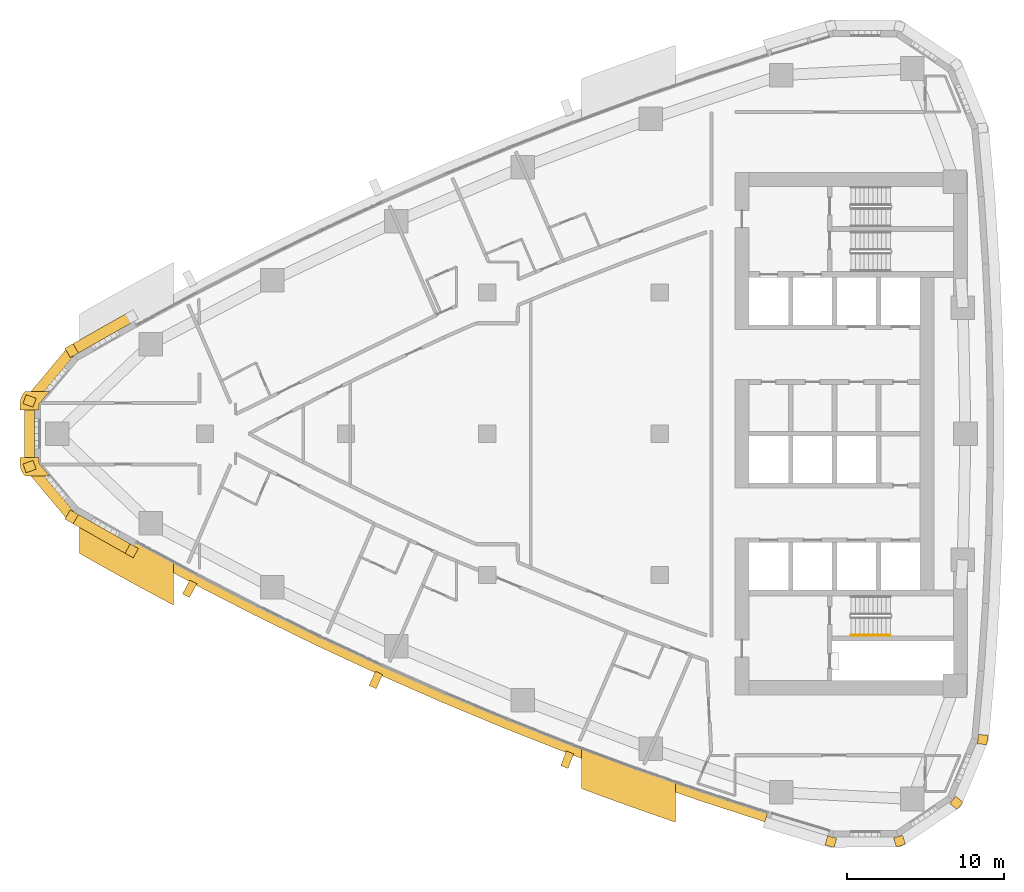
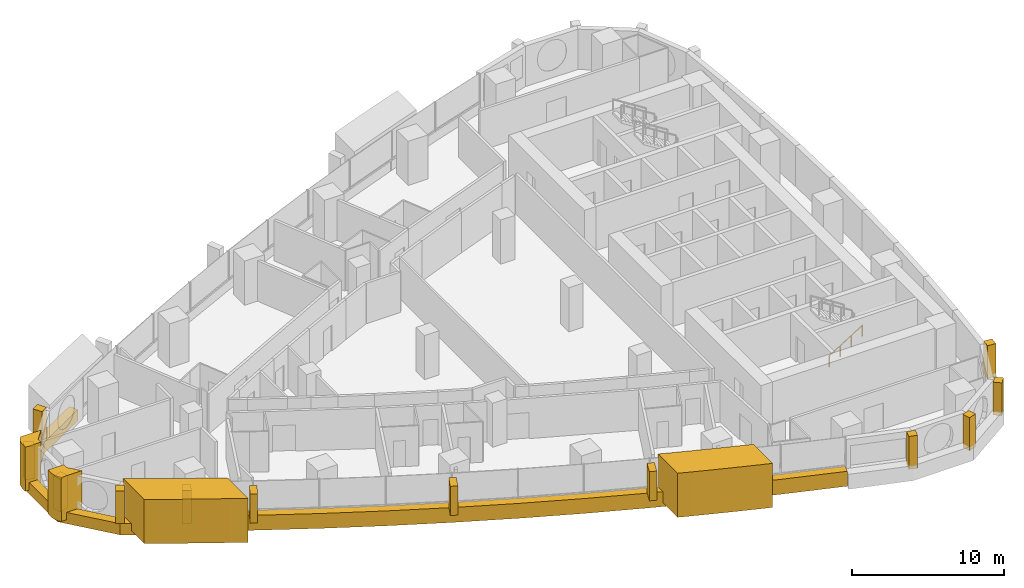
# One storey, part 14 of 17: 18 coverings, 1 railing.
"""IFC4 building model written with IfcOpenShell, lengths in metres."""

from ifc_helpers import new_model, si_unit, direction, frame, frame_2d, origin, origin_2d, place, context, subcontext, project, spatial, polyline, rectangle, circle, outline, extrude, material, layer, layer_set, type_object, element, save


model = new_model("IFC4")

# Units and contexts
model_context = context("Model", 3, precision=1e-05, world=origin(), true_north=direction((0.0, 1.0)))
body_context = subcontext(model_context, "Body", "Model", "MODEL_VIEW")
ifc_project = project(units=[si_unit("LENGTHUNIT", "METRE"), si_unit("AREAUNIT", "SQUARE_METRE"), si_unit("VOLUMEUNIT", "CUBIC_METRE"), si_unit("PLANEANGLEUNIT", "RADIAN"), si_unit("MASSUNIT", "GRAM", prefix="KILO")], contexts=[model_context])

# Site, building, storey
site_placement = place(None, origin())
site = spatial("IfcSite", under=ifc_project, at=site_placement, CompositionType="ELEMENT")
building_placement = place(site_placement, origin())
building = spatial("IfcBuilding", under=site, at=building_placement, Name="Ostrand Prow Hotel Tower", CompositionType="ELEMENT")
storey_placement = place(building_placement, frame((0.0, 0.0, 133.75)))
storey = spatial("IfcBuildingStorey", under=building, at=storey_placement, Name="L32", CompositionType="ELEMENT", Elevation=133.75)

# Coverings
ifc_material_1 = material(Name="Bronze anodised aluminium cladding", Category="aluminium")
ifc_layer_1 = layer(ifc_material_1, 0.60009765625)
ifc_layer_set_1 = layer_set([ifc_layer_1], Name="Bronze anodised aluminium cladding")
covering_type_1 = type_object("IfcCoveringType", Name="Bronze prow band 899x600", PredefinedType="CLADDING", material=ifc_layer_set_1)
covering_1_placement = place(storey_placement, frame((0.0, 0.0, -0.300048828125)))
element("IfcCovering", 1, at=covering_1_placement, inside=storey, type_object=covering_type_1, Name="Bronze prow band", PredefinedType="CLADDING", context=body_context, shape_type="SweptSolid", body=[
    extrude(outline(polyline([(11.16845703125, 7.766845703125), (7.335205078125, 5.594970703125), (4.5009765625, 2.208251953125), (4.5009765625, -2.208251953125), (7.335205078125, -5.594970703125), (11.16845703125, -7.766845703125), (11.497802734375, -7.171875), (7.676513671875, -5.006591796875), (5.14013671875, -1.97607421875), (5.14013671875, 1.97607421875), (7.676513671875, 5.006591796875), (11.497802734375, 7.171875), (11.16845703125, 7.766845703125)])), origin(), (0.0, 0.0, 1.0), 0.900146484375),
])
ifc_material_2 = material(Name="Bronze anodised aluminium cladding", Category="aluminium")
ifc_layer_2 = layer(ifc_material_2, 0.60009765625)
ifc_layer_set_2 = layer_set([ifc_layer_2], Name="Bronze anodised aluminium cladding")
covering_type_2 = type_object("IfcCoveringType", Name="Bronze spandrel band 1200x600", PredefinedType="CLADDING", material=ifc_layer_set_2)
covering_2_placement = place(storey_placement, frame((0.0, 0.0, -0.300048828125)))
element("IfcCovering", 2, at=covering_2_placement, inside=storey, type_object=covering_type_2, Name="Spandrel band S1", PredefinedType="CLADDING", context=body_context, shape_type="SweptSolid", body=[
    extrude(outline(polyline([(11.3466796875, -7.445068359375), (15.21630859375, -9.535888671875), (19.126953125, -11.548828125), (23.077392578125, -13.482666015625), (27.06591796875, -15.336669921875), (31.091064453125, -17.110107421875), (35.15087890625, -18.80224609375), (39.243896484375, -20.41259765625), (43.368408203125, -21.9404296875), (47.522705078125, -23.385009765625), (51.705322265625, -24.74560546875), (51.88525390625, -24.17333984375), (47.714111328125, -22.81640625), (43.571044921875, -21.375732421875), (39.457763671875, -19.85205078125), (35.376220703125, -18.24609375), (31.327392578125, -16.55859375), (27.3134765625, -14.7900390625), (23.335693359375, -12.941162109375), (19.396240234375, -11.0126953125), (15.49609375, -9.00537109375), (11.63720703125, -6.920166015625), (11.3466796875, -7.445068359375)])), origin(), (0.0, 0.0, 1.0), 1.199951171875),
])
ifc_material_3 = material(Name="Limestone cladding", Category="masonry")
ifc_layer_3 = layer(ifc_material_3, 5.0)
ifc_layer_set_3 = layer_set([ifc_layer_3], Name="Limestone cladding")
covering_type_3 = type_object("IfcCoveringType", Name="Portal jamb pilaster limestone", PredefinedType="CLADDING", material=ifc_layer_set_3)
covering_3_placement = place(storey_placement, origin())
element("IfcCovering", 3, at=covering_3_placement, inside=storey, type_object=covering_type_3, Name="Portal jamb SA L32", PredefinedType="CLADDING", context=body_context, shape_type="SweptSolid", body=[
    extrude(outline(polyline([(8.0, -4.861572265625), (8.0, -7.62939453125), (9.0, -8.1962890625), (10.0, -8.75634765625), (11.0, -9.3095703125), (12.0, -9.856201171875), (13.0, -10.39599609375), (14.0, -10.92919921875), (14.0, -8.208740234375), (13.0, -7.66796875), (12.0, -7.12060546875), (11.0, -6.566162109375), (10.0, -6.0048828125), (9.0, -5.436767578125), (8.0, -4.861572265625)])), origin(), (0.0, 0.0, 1.0), 3.550048828125),
])
covering_4_placement = place(storey_placement, origin())
element("IfcCovering", 4, at=covering_4_placement, inside=storey, type_object=covering_type_3, Name="Portal jamb SB L32", PredefinedType="CLADDING", context=body_context, shape_type="SweptSolid", body=[
    extrude(outline(polyline([(40.0, -20.058349609375), (40.0, -22.622802734375), (41.0, -22.994140625), (42.0, -23.360107421875), (43.0, -23.720458984375), (44.0, -24.075439453125), (45.0, -24.425048828125), (46.0, -24.769287109375), (46.0, -22.231689453125), (45.0, -21.883056640625), (44.0, -21.529296875), (43.0, -21.169921875), (42.0, -20.804931640625), (41.0, -20.434326171875), (40.0, -20.058349609375)])), origin(), (0.0, 0.0, 1.0), 3.550048828125),
])
ifc_material_4 = material(Name="Limestone cladding", Category="masonry")
ifc_layer_4 = layer(ifc_material_4, 0.5)
ifc_layer_set_4 = layer_set([ifc_layer_4], Name="Limestone cladding")
covering_type_4 = type_object("IfcCoveringType", Name="Precast stone fin 500x900", PredefinedType="CLADDING", material=ifc_layer_set_4)
covering_5_placement = place(storey_placement, frame((15.2626953125, -9.447509765625, 0.89990234375), z_axis=(0.0, 0.0, 1.0), x_axis=(-0.466350109869, -0.884600234584, 0.0)))
element("IfcCovering", 5, at=covering_5_placement, inside=storey, type_object=covering_type_4, Name="Stone fin S 2", PredefinedType="CLADDING", context=body_context, shape_type="SweptSolid", body=[
    extrude(rectangle(XDim=1.0, YDim=0.5, at=frame_2d((0.5, 0.0))), origin(), (0.0, 0.0, 1.0), 2.35009765625),
])
covering_6_placement = place(storey_placement, frame((27.107177734375, -15.24560546875, 0.89990234375), z_axis=(0.0, 0.0, 1.0), x_axis=(-0.412404328124, -0.911000916654, 0.0)))
element("IfcCovering", 6, at=covering_6_placement, inside=storey, type_object=covering_type_4, Name="Stone fin S 5", PredefinedType="CLADDING", context=body_context, shape_type="SweptSolid", body=[
    extrude(rectangle(XDim=0.999755859375, YDim=0.5, at=frame_2d((0.5, 0.0))), origin(), (0.0, 0.0, 1.0), 2.35009765625),
])
covering_7_placement = place(storey_placement, frame((39.279541015625, -20.319091796875, 0.89990234375), z_axis=(0.0, 0.0, 1.0), x_axis=(-0.356868116991, -0.93415477683, 0.0)))
element("IfcCovering", 7, at=covering_7_placement, inside=storey, type_object=covering_type_4, Name="Stone fin S 8", PredefinedType="CLADDING", context=body_context, shape_type="SweptSolid", body=[
    extrude(rectangle(XDim=1.000244140625, YDim=0.5, at=frame_2d((0.5, 0.0))), origin(), (0.0, 0.0, 1.0), 2.35009765625),
])
ifc_material_5 = material(Name="Limestone cladding", Category="masonry")
ifc_layer_5 = layer(ifc_material_5, 0.60009765625)
ifc_layer_set_5 = layer_set([ifc_layer_5], Name="Limestone cladding")
covering_type_5 = type_object("IfcCoveringType", Name="Precast stone prow rib 600x600", PredefinedType="CLADDING", material=ifc_layer_set_5)
covering_8_placement = place(storey_placement, frame((7.676513671875, 5.006591796875, 0.60009765625), z_axis=(0.0, 0.0, 1.0), x_axis=(-0.501771803437, 0.865000033107, 0.0)))
element("IfcCovering", 8, at=covering_8_placement, inside=storey, type_object=covering_type_5, Name="Stone prow rib 2", PredefinedType="CLADDING", context=body_context, shape_type="SweptSolid", body=[
    extrude(rectangle(XDim=0.68017578125, YDim=0.60009765625, at=frame_2d((0.340087890625, 0.0))), origin(), (0.0, 0.0, 1.0), 2.64990234375),
])
for number, where, z_axis, x_axis, name in (
    (9, (5.14013671875, 1.97607421875, 0.60009765625), (0.0, 0.0, 1.0), (-0.939908674991, 0.341425954896, 0.0), "Stone prow rib 3"),
    (10, (5.14013671875, -1.97607421875, 0.60009765625), (0.0, 0.0, 1.0), (-0.939908674991, -0.341425954896, 0.0), "Stone prow rib 4"),
):
    element("IfcCovering", number, at=place(storey_placement, frame(where, z_axis=z_axis, x_axis=x_axis)), inside=storey, type_object=covering_type_5, Name=name, PredefinedType="CLADDING", context=body_context, shape_type="SweptSolid", body=[
        extrude(rectangle(XDim=0.679931640625, YDim=0.60009765625, at=frame_2d((0.33984375, 0.0))), origin(), (0.0, 0.0, 1.0), 2.64990234375),
    ])
covering_9_placement = place(storey_placement, frame((7.676513671875, -5.006591796875, 0.60009765625), z_axis=(0.0, 0.0, 1.0), x_axis=(-0.501771803437, -0.865000033107, 0.0)))
element("IfcCovering", 11, at=covering_9_placement, inside=storey, type_object=covering_type_5, Name="Stone prow rib 5", PredefinedType="CLADDING", context=body_context, shape_type="SweptSolid", body=[
    extrude(rectangle(XDim=0.68017578125, YDim=0.60009765625, at=frame_2d((0.340087890625, 0.0))), origin(), (0.0, 0.0, 1.0), 2.64990234375),
])
covering_10_placement = place(storey_placement, frame((11.497802734375, -7.171875, 0.60009765625), z_axis=(0.0, 0.0, 1.0), x_axis=(-0.484301161624, -0.874901357211, 0.0)))
element("IfcCovering", 12, at=covering_10_placement, inside=storey, type_object=covering_type_5, Name="Stone prow rib 6", PredefinedType="CLADDING", context=body_context, shape_type="SweptSolid", body=[
    extrude(rectangle(XDim=0.679931640625, YDim=0.60009765625, at=frame_2d((0.33984375, 0.0))), origin(), (0.0, 0.0, 1.0), 2.64990234375),
])
covering_11_placement = place(storey_placement, frame((56.001953125, -25.722412109375, 0.60009765625), z_axis=(0.0, 0.0, 1.0), x_axis=(-0.280734221166, -0.959785547436, 0.0)))
element("IfcCovering", 13, at=covering_11_placement, inside=storey, type_object=covering_type_5, Name="Stone corner rib 2a", PredefinedType="CLADDING", context=body_context, shape_type="SweptSolid", body=[
    extrude(rectangle(XDim=0.60009765625, YDim=0.60009765625, at=frame_2d((0.300048828125, 0.0))), origin(), (0.0, 0.0, 1.0), 2.64990234375),
])
for number, where, z_axis, x_axis, name in (
    (14, (60.201171875, -25.689697265625, 0.60009765625), (0.0, 0.0, 1.0), (0.295515682615, -0.955337888565, 0.0), "Stone corner rib 3a"),
    (15, (63.68505859375, -23.34521484375, 0.60009765625), (0.0, 0.0, 1.0), (0.773830327772, -0.633392945825, 0.0), "Stone corner rib 4a"),
):
    element("IfcCovering", number, at=place(storey_placement, frame(where, z_axis=z_axis, x_axis=x_axis)), inside=storey, type_object=covering_type_5, Name=name, PredefinedType="CLADDING", context=body_context, shape_type="SweptSolid", body=[
        extrude(rectangle(XDim=0.599853515625, YDim=0.60009765625, at=frame_2d((0.2998046875, 0.0))), origin(), (0.0, 0.0, 1.0), 2.64990234375),
    ])
covering_12_placement = place(storey_placement, frame((65.296875, -19.467529296875, 0.60009765625), z_axis=(0.0, 0.0, 1.0), x_axis=(0.994854249607, -0.101316445052, 0.0)))
element("IfcCovering", 16, at=covering_12_placement, inside=storey, type_object=covering_type_5, Name="Stone corner rib 4b", PredefinedType="CLADDING", context=body_context, shape_type="SweptSolid", body=[
    extrude(rectangle(XDim=0.60009765625, YDim=0.60009765625, at=frame_2d((0.300048828125, 0.0))), origin(), (0.0, 0.0, 1.0), 2.64990234375),
])
ifc_material_6 = material(Name="Limestone cladding", Category="masonry")
ifc_layer_6 = layer(ifc_material_6, 3.0)
ifc_layer_set_6 = layer_set([ifc_layer_6], Name="Limestone cladding")
covering_type_6 = type_object("IfcCoveringType", Name="Prow nose pier limestone", PredefinedType="CLADDING", material=ifc_layer_set_6)
covering_13_placement = place(storey_placement, origin())
element("IfcCovering", 17, at=covering_13_placement, inside=storey, type_object=covering_type_6, Name="Prow spine fin N L32", PredefinedType="CLADDING", context=body_context, shape_type="SweptSolid", body=[
    extrude(outline(polyline([(4.210693359375, 1.877685546875), (4.210693359375, 1.5), (5.41064453125, 1.5), (5.41064453125, 1.877685546875), (6.098876953125, 2.699951171875), (4.533935546875, 2.699951171875), (4.490478515625, 2.64794921875), (4.41845703125, 2.552490234375), (4.356201171875, 2.45068359375), (4.304443359375, 2.343017578125), (4.263916015625, 2.230712890625), (4.234375, 2.114990234375), (4.216552734375, 1.9970703125), (4.210693359375, 1.877685546875)])), origin(), (0.0, 0.0, 1.0), 3.550048828125),
])
covering_14_placement = place(storey_placement, origin())
element("IfcCovering", 18, at=covering_14_placement, inside=storey, type_object=covering_type_6, Name="Prow spine fin S L32", PredefinedType="CLADDING", context=body_context, shape_type="SweptSolid", body=[
    extrude(outline(polyline([(4.490478515625, -2.64794921875), (4.533935546875, -2.699951171875), (6.098876953125, -2.699951171875), (5.41064453125, -1.877685546875), (5.41064453125, -1.5), (4.210693359375, -1.5), (4.210693359375, -1.877685546875), (4.216552734375, -1.9970703125), (4.234375, -2.114990234375), (4.263916015625, -2.230712890625), (4.304443359375, -2.343017578125), (4.356201171875, -2.45068359375), (4.41845703125, -2.552490234375), (4.490478515625, -2.64794921875)])), origin(), (0.0, 0.0, 1.0), 3.550048828125),
])

# Railing
ifc_material_7 = material(Name="Stainless steel", Category="steel")
railing_type = type_object("IfcRailingType", Name="Stair handrail 900", PredefinedType="HANDRAIL", material=ifc_material_7)
railing_placement = place(storey_placement, frame((57.199951171875, -12.85009765625, 0.177490234375)))
element("IfcRailing", 19, at=railing_placement, inside=storey, type_object=railing_type, Name="L32 ST2C stair handrail 1", PredefinedType="HANDRAIL", context=body_context, shape_type="SweptSolid", body=[
    extrude(circle(Radius=0.02392578125, at=origin_2d()), frame((0.0, 0.0, 0.8759765625), z_axis=(0.84460694969, 0.0, 0.535386869969), x_axis=(0.0, 1.0, 0.0)), (0.0, 0.0, 1.0), 2.983642578125),
    extrude(circle(Radius=0.02099609375, at=origin_2d()), origin(), (0.0, 0.0, 1.0), 0.851806640625),
    extrude(circle(Radius=0.02099609375, at=origin_2d()), frame((0.840087890625, 0.0, 0.532470703125)), (0.0, 0.0, 1.0), 0.851806640625),
    extrude(circle(Radius=0.02099609375, at=origin_2d()), frame((1.679931640625, 0.0, 1.06494140625)), (0.0, 0.0, 1.0), 0.851806640625),
    extrude(circle(Radius=0.02099609375, at=origin_2d()), frame((2.52001953125, 0.0, 1.597412109375)), (0.0, 0.0, 1.0), 0.851806640625),
])

save(model, "model.ifc")
